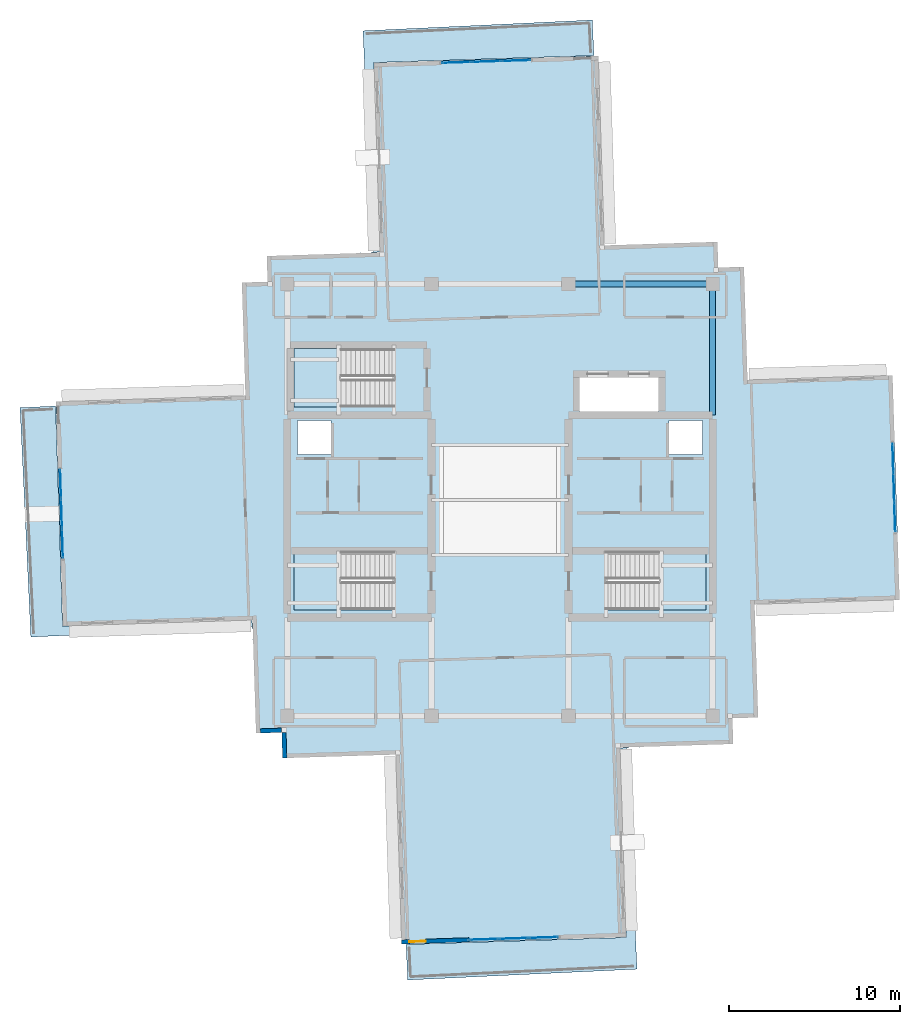
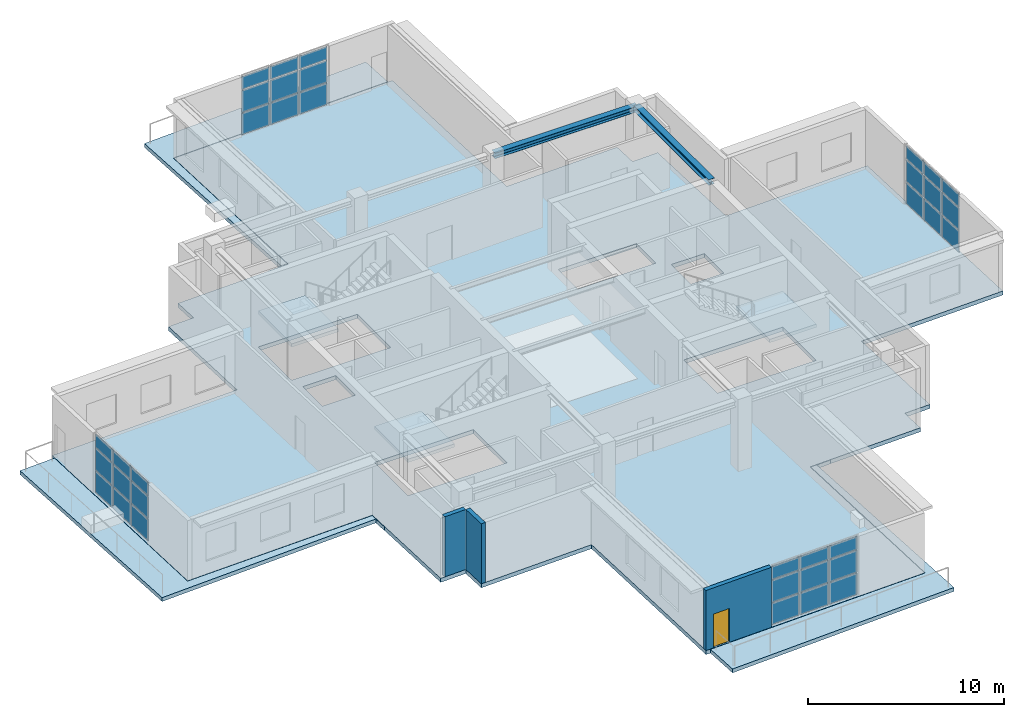
# One storey, part 9 of 18: 36 plates, 7 slabs, 3 walls, 2 beams, 1 door, 1 opening, 7 elements without a shape of their own.
"""IFC4 building model written with IfcOpenShell, lengths in metres."""

from ifc_helpers import new_model, si_unit, direction, frame, frame_2d, origin, origin_2d, place, context, subcontext, project, spatial, polyline, rectangle, i_section, outline, extrude, material, layer, layer_set, material_profile, profile_set, type_object, element, fill, aggregate, save


model = new_model("IFC4")

# Units and contexts
model_context = context("Model", 3, precision=1e-05, world=origin(), true_north=direction((0.0, 1.0)))
body_context = subcontext(model_context, "Body", "Model", "MODEL_VIEW")
ifc_project = project(units=[si_unit("LENGTHUNIT", "METRE"), si_unit("AREAUNIT", "SQUARE_METRE"), si_unit("VOLUMEUNIT", "CUBIC_METRE"), si_unit("PLANEANGLEUNIT", "RADIAN"), si_unit("MASSUNIT", "GRAM", prefix="KILO")], contexts=[model_context])

# Site, building, storey
site_placement = place(None, origin())
site = spatial("IfcSite", under=ifc_project, at=site_placement, CompositionType="ELEMENT")
building_placement = place(site_placement, origin())
building = spatial("IfcBuilding", under=site, at=building_placement, Name="Qingluan Cross Belvedere", CompositionType="ELEMENT")
storey_placement = place(building_placement, frame((0.0, 0.0, 299.39990234375)))
storey = spatial("IfcBuildingStorey", under=building, at=storey_placement, Name="L74", CompositionType="ELEMENT", Elevation=299.39990234375)

# Beams
ifc_material_1 = material(Name="Steel Q420GJB", Category="steel")
ifc_material_profile = material_profile(ifc_material_1, i_section(OverallWidth=0.35009765625, OverallDepth=0.35009765625, WebThickness=0.011962890625, FlangeThickness=0.01904296875, FilletRadius=0.02001953125, at=origin_2d()), Name="HW350x350x12x19")
ifc_profile_set = profile_set([ifc_material_profile], Name="Steel Q420GJB")
beam_type = type_object("IfcBeamType", Name="Steel_Girder_HW350x350x12x19", PredefinedType="USERDEFINED", material=ifc_profile_set)
beam_1_placement = place(storey_placement, frame((4.0, 12.60009765625, 4.0751953125), z_axis=(1.0, 0.0, 0.0), x_axis=(0.0, 1.0, 0.0)))
element("IfcBeam", 1, at=beam_1_placement, inside=storey, type_object=beam_type, Name="Hub girder L74-HG-N3", ObjectType="GIRDER", PredefinedType="USERDEFINED", context=body_context, shape_type="SweptSolid", body=[
    extrude(i_section(OverallWidth=0.35009765625, OverallDepth=0.35009765625, WebThickness=0.011962890625, FlangeThickness=0.01904296875, FilletRadius=0.02001953125, at=origin_2d()), origin(), (0.0, 0.0, 1.0), 8.39990234375),
])
beam_2_placement = place(storey_placement, frame((12.39990234375, 4.949951171875, 4.0751953125), z_axis=(0.0, 1.0, 0.0), x_axis=(-1.0, 0.0, 0.0)))
element("IfcBeam", 2, at=beam_2_placement, inside=storey, type_object=beam_type, Name="Hub girder L74-HG-E2", ObjectType="GIRDER", PredefinedType="USERDEFINED", context=body_context, shape_type="SweptSolid", body=[
    extrude(i_section(OverallWidth=0.35009765625, OverallDepth=0.35009765625, WebThickness=0.011962890625, FlangeThickness=0.01904296875, FilletRadius=0.02001953125, at=origin_2d()), origin(), (0.0, 0.0, 1.0), 7.650146484375),
])

# Curtain wall, plates
ifc_material_2 = material(Name="Thermally broken aluminium and Low-E glass", Category="aluminium")
ifc_layer_1 = layer(ifc_material_2, 0.179931640625, Name="ObservationCW_DamperGallery")
ifc_layer_set_1 = layer_set([ifc_layer_1], Name="Thermally broken aluminium and Low-E glass")
curtain_wall_type = type_object("IfcCurtainWallType", Name="ObservationCW_DamperGallery", PredefinedType="USERDEFINED", material=ifc_layer_set_1)
curtain_wall_1_placement = place(storey_placement, origin())
curtain_wall_1 = element("IfcCurtainWall", 3, at=curtain_wall_1_placement, inside=storey, type_object=curtain_wall_type, Name="ObservationCW_DamperGallery run env:cw:L74:E", ObjectType="OBSERVATION GLAZING WALL", PredefinedType="USERDEFINED")
ifc_material_3 = material(Name="Triple-silver Low-E insulated glass", Category="glass")
ifc_layer_2 = layer(ifc_material_3, 0.035888671875, Name="CWVisionPanel_36")
ifc_layer_set_2 = layer_set([ifc_layer_2], Name="Triple-silver Low-E insulated glass")
plate_type = type_object("IfcPlateType", Name="CWVisionPanel_36", PredefinedType="CURTAIN_PANEL", material=ifc_layer_set_2)
plate_1_placement = place(storey_placement, frame((23.02294921875, -1.007568359375, 0.06005859375), z_axis=(0.0, 0.0, 1.0), x_axis=(-0.031417204084, 0.999506357802, 0.0)))
plate_1 = element("IfcPlate", 4, at=plate_1_placement, type_object=plate_type, Name="CW-C1 panel 1.1", PredefinedType="CURTAIN_PANEL", context=body_context, shape_type="SweptSolid", body=[
    extrude(rectangle(XDim=1.6552734375, YDim=0.028076171875, at=origin_2d()), origin(), (0.0, 0.0, 1.0), 1.326904296875),
])
plate_2_placement = place(storey_placement, frame((23.02294921875, -1.007568359375, 1.447021484375), z_axis=(0.0, 0.0, 1.0), x_axis=(-0.031417204084, 0.999506357802, 0.0)))
plate_2 = element("IfcPlate", 5, at=plate_2_placement, type_object=plate_type, Name="CW-C1 panel 1.2", PredefinedType="CURTAIN_PANEL", context=body_context, shape_type="SweptSolid", body=[
    extrude(rectangle(XDim=1.6552734375, YDim=0.028076171875, at=origin_2d()), origin(), (0.0, 0.0, 1.0), 1.35791015625),
])
plate_3_placement = place(storey_placement, frame((23.02294921875, -1.007568359375, 2.865234375), z_axis=(0.0, 0.0, 1.0), x_axis=(-0.031417204084, 0.999506357802, 0.0)))
plate_3 = element("IfcPlate", 6, at=plate_3_placement, type_object=plate_type, Name="CW-C1 panel 1.3", PredefinedType="CURTAIN_PANEL", context=body_context, shape_type="SweptSolid", body=[
    extrude(rectangle(XDim=1.6552734375, YDim=0.028076171875, at=origin_2d()), origin(), (0.0, 0.0, 1.0), 0.804931640625),
])
plate_4_placement = place(storey_placement, frame((22.96875, 0.7216796875, 0.06005859375), z_axis=(0.0, 0.0, 1.0), x_axis=(-0.031417204084, 0.999506357802, 0.0)))
plate_4 = element("IfcPlate", 7, at=plate_4_placement, type_object=plate_type, Name="CW-C1 panel 2.1", PredefinedType="CURTAIN_PANEL", context=body_context, shape_type="SweptSolid", body=[
    extrude(rectangle(XDim=1.685302734375, YDim=0.028076171875, at=origin_2d()), origin(), (0.0, 0.0, 1.0), 1.326904296875),
])
plate_5_placement = place(storey_placement, frame((22.96875, 0.7216796875, 1.447021484375), z_axis=(0.0, 0.0, 1.0), x_axis=(-0.031417204084, 0.999506357802, 0.0)))
plate_5 = element("IfcPlate", 8, at=plate_5_placement, type_object=plate_type, Name="CW-C1 panel 2.2", PredefinedType="CURTAIN_PANEL", context=body_context, shape_type="SweptSolid", body=[
    extrude(rectangle(XDim=1.685302734375, YDim=0.028076171875, at=origin_2d()), origin(), (0.0, 0.0, 1.0), 1.35791015625),
])
plate_6_placement = place(storey_placement, frame((22.96875, 0.7216796875, 2.865234375), z_axis=(0.0, 0.0, 1.0), x_axis=(-0.031417204084, 0.999506357802, 0.0)))
plate_6 = element("IfcPlate", 9, at=plate_6_placement, type_object=plate_type, Name="CW-C1 panel 2.3", PredefinedType="CURTAIN_PANEL", context=body_context, shape_type="SweptSolid", body=[
    extrude(rectangle(XDim=1.685302734375, YDim=0.028076171875, at=origin_2d()), origin(), (0.0, 0.0, 1.0), 0.804931640625),
])
plate_7_placement = place(storey_placement, frame((22.914306640625, 2.451171875, 0.06005859375), z_axis=(0.0, 0.0, 1.0), x_axis=(-0.031417204084, 0.999506357802, 0.0)))
plate_7 = element("IfcPlate", 10, at=plate_7_placement, type_object=plate_type, Name="CW-C1 panel 3.1", PredefinedType="CURTAIN_PANEL", context=body_context, shape_type="SweptSolid", body=[
    extrude(rectangle(XDim=1.6552734375, YDim=0.028076171875, at=origin_2d()), origin(), (0.0, 0.0, 1.0), 1.326904296875),
])
plate_8_placement = place(storey_placement, frame((22.914306640625, 2.451171875, 1.447021484375), z_axis=(0.0, 0.0, 1.0), x_axis=(-0.031417204084, 0.999506357802, 0.0)))
plate_8 = element("IfcPlate", 11, at=plate_8_placement, type_object=plate_type, Name="CW-C1 panel 3.2", PredefinedType="CURTAIN_PANEL", context=body_context, shape_type="SweptSolid", body=[
    extrude(rectangle(XDim=1.6552734375, YDim=0.028076171875, at=origin_2d()), origin(), (0.0, 0.0, 1.0), 1.35791015625),
])
plate_9_placement = place(storey_placement, frame((22.914306640625, 2.451171875, 2.865234375), z_axis=(0.0, 0.0, 1.0), x_axis=(-0.031417204084, 0.999506357802, 0.0)))
plate_9 = element("IfcPlate", 12, at=plate_9_placement, type_object=plate_type, Name="CW-C1 panel 3.3", PredefinedType="CURTAIN_PANEL", context=body_context, shape_type="SweptSolid", body=[
    extrude(rectangle(XDim=1.6552734375, YDim=0.028076171875, at=origin_2d()), origin(), (0.0, 0.0, 1.0), 0.804931640625),
])
aggregate(curtain_wall_1, [plate_1, plate_2, plate_3, plate_4, plate_5, plate_6, plate_7, plate_8, plate_9])

curtain_wall_2_placement = place(storey_placement, origin())
curtain_wall_2 = element("IfcCurtainWall", 13, at=curtain_wall_2_placement, inside=storey, type_object=curtain_wall_type, Name="ObservationCW_DamperGallery run env:cw:L74:N", ObjectType="OBSERVATION GLAZING WALL", PredefinedType="USERDEFINED")
plate_10_placement = place(storey_placement, frame((0.926025390625, 25.621826171875, 0.06005859375), z_axis=(0.0, 0.0, 1.0), x_axis=(-0.999506957349, -0.031398124312, 0.0)))
plate_10 = element("IfcPlate", 14, at=plate_10_placement, type_object=plate_type, Name="CW-C1 panel 1.1", PredefinedType="CURTAIN_PANEL", context=body_context, shape_type="SweptSolid", body=[
    extrude(rectangle(XDim=1.6552734375, YDim=0.028076171875, at=origin_2d()), origin(), (0.0, 0.0, 1.0), 1.326904296875),
])
plate_11_placement = place(storey_placement, frame((0.926025390625, 25.621826171875, 1.447021484375), z_axis=(0.0, 0.0, 1.0), x_axis=(-0.999506957349, -0.031398124312, 0.0)))
plate_11 = element("IfcPlate", 15, at=plate_11_placement, type_object=plate_type, Name="CW-C1 panel 1.2", PredefinedType="CURTAIN_PANEL", context=body_context, shape_type="SweptSolid", body=[
    extrude(rectangle(XDim=1.6552734375, YDim=0.028076171875, at=origin_2d()), origin(), (0.0, 0.0, 1.0), 1.35791015625),
])
plate_12_placement = place(storey_placement, frame((0.926025390625, 25.621826171875, 2.865234375), z_axis=(0.0, 0.0, 1.0), x_axis=(-0.999506957349, -0.031398124312, 0.0)))
plate_12 = element("IfcPlate", 16, at=plate_12_placement, type_object=plate_type, Name="CW-C1 panel 1.3", PredefinedType="CURTAIN_PANEL", context=body_context, shape_type="SweptSolid", body=[
    extrude(rectangle(XDim=1.6552734375, YDim=0.028076171875, at=origin_2d()), origin(), (0.0, 0.0, 1.0), 0.804931640625),
])
plate_13_placement = place(storey_placement, frame((-0.803466796875, 25.5673828125, 0.06005859375), z_axis=(0.0, 0.0, 1.0), x_axis=(-0.999506957349, -0.031398124312, 0.0)))
plate_13 = element("IfcPlate", 17, at=plate_13_placement, type_object=plate_type, Name="CW-C1 panel 2.1", PredefinedType="CURTAIN_PANEL", context=body_context, shape_type="SweptSolid", body=[
    extrude(rectangle(XDim=1.685302734375, YDim=0.028076171875, at=origin_2d()), origin(), (0.0, 0.0, 1.0), 1.326904296875),
])
plate_14_placement = place(storey_placement, frame((-0.803466796875, 25.5673828125, 1.447021484375), z_axis=(0.0, 0.0, 1.0), x_axis=(-0.999506957349, -0.031398124312, 0.0)))
plate_14 = element("IfcPlate", 18, at=plate_14_placement, type_object=plate_type, Name="CW-C1 panel 2.2", PredefinedType="CURTAIN_PANEL", context=body_context, shape_type="SweptSolid", body=[
    extrude(rectangle(XDim=1.685302734375, YDim=0.028076171875, at=origin_2d()), origin(), (0.0, 0.0, 1.0), 1.35791015625),
])
plate_15_placement = place(storey_placement, frame((-0.803466796875, 25.5673828125, 2.865234375), z_axis=(0.0, 0.0, 1.0), x_axis=(-0.999506957349, -0.031398124312, 0.0)))
plate_15 = element("IfcPlate", 19, at=plate_15_placement, type_object=plate_type, Name="CW-C1 panel 2.3", PredefinedType="CURTAIN_PANEL", context=body_context, shape_type="SweptSolid", body=[
    extrude(rectangle(XDim=1.685302734375, YDim=0.028076171875, at=origin_2d()), origin(), (0.0, 0.0, 1.0), 0.804931640625),
])
plate_16_placement = place(storey_placement, frame((-2.532958984375, 25.51318359375, 0.06005859375), z_axis=(0.0, 0.0, 1.0), x_axis=(-0.999506957349, -0.031398124312, 0.0)))
plate_16 = element("IfcPlate", 20, at=plate_16_placement, type_object=plate_type, Name="CW-C1 panel 3.1", PredefinedType="CURTAIN_PANEL", context=body_context, shape_type="SweptSolid", body=[
    extrude(rectangle(XDim=1.6552734375, YDim=0.028076171875, at=origin_2d()), origin(), (0.0, 0.0, 1.0), 1.326904296875),
])
plate_17_placement = place(storey_placement, frame((-2.532958984375, 25.51318359375, 1.447021484375), z_axis=(0.0, 0.0, 1.0), x_axis=(-0.999506957349, -0.031398124312, 0.0)))
plate_17 = element("IfcPlate", 21, at=plate_17_placement, type_object=plate_type, Name="CW-C1 panel 3.2", PredefinedType="CURTAIN_PANEL", context=body_context, shape_type="SweptSolid", body=[
    extrude(rectangle(XDim=1.6552734375, YDim=0.028076171875, at=origin_2d()), origin(), (0.0, 0.0, 1.0), 1.35791015625),
])
plate_18_placement = place(storey_placement, frame((-2.532958984375, 25.51318359375, 2.865234375), z_axis=(0.0, 0.0, 1.0), x_axis=(-0.999506957349, -0.031398124312, 0.0)))
plate_18 = element("IfcPlate", 22, at=plate_18_placement, type_object=plate_type, Name="CW-C1 panel 3.3", PredefinedType="CURTAIN_PANEL", context=body_context, shape_type="SweptSolid", body=[
    extrude(rectangle(XDim=1.6552734375, YDim=0.028076171875, at=origin_2d()), origin(), (0.0, 0.0, 1.0), 0.804931640625),
])
aggregate(curtain_wall_2, [plate_10, plate_11, plate_12, plate_13, plate_14, plate_15, plate_16, plate_17, plate_18])

curtain_wall_3_placement = place(storey_placement, origin())
curtain_wall_3 = element("IfcCurtainWall", 23, at=curtain_wall_3_placement, inside=storey, type_object=curtain_wall_type, Name="ObservationCW_DamperGallery run env:cw:L74:W", ObjectType="OBSERVATION GLAZING WALL", PredefinedType="USERDEFINED")
plate_19_placement = place(storey_placement, frame((-25.621826171875, 0.926025390625, 0.06005859375), z_axis=(0.0, 0.0, 1.0), x_axis=(0.031398124312, -0.999506957349, 0.0)))
plate_19 = element("IfcPlate", 24, at=plate_19_placement, type_object=plate_type, Name="CW-C1 panel 1.1", PredefinedType="CURTAIN_PANEL", context=body_context, shape_type="SweptSolid", body=[
    extrude(rectangle(XDim=1.6552734375, YDim=0.028076171875, at=origin_2d()), origin(), (0.0, 0.0, 1.0), 1.326904296875),
])
plate_20_placement = place(storey_placement, frame((-25.621826171875, 0.926025390625, 1.447021484375), z_axis=(0.0, 0.0, 1.0), x_axis=(0.031398124312, -0.999506957349, 0.0)))
plate_20 = element("IfcPlate", 25, at=plate_20_placement, type_object=plate_type, Name="CW-C1 panel 1.2", PredefinedType="CURTAIN_PANEL", context=body_context, shape_type="SweptSolid", body=[
    extrude(rectangle(XDim=1.6552734375, YDim=0.028076171875, at=origin_2d()), origin(), (0.0, 0.0, 1.0), 1.35791015625),
])
plate_21_placement = place(storey_placement, frame((-25.621826171875, 0.926025390625, 2.865234375), z_axis=(0.0, 0.0, 1.0), x_axis=(0.031398124312, -0.999506957349, 0.0)))
plate_21 = element("IfcPlate", 26, at=plate_21_placement, type_object=plate_type, Name="CW-C1 panel 1.3", PredefinedType="CURTAIN_PANEL", context=body_context, shape_type="SweptSolid", body=[
    extrude(rectangle(XDim=1.6552734375, YDim=0.028076171875, at=origin_2d()), origin(), (0.0, 0.0, 1.0), 0.804931640625),
])
plate_22_placement = place(storey_placement, frame((-25.5673828125, -0.803466796875, 0.06005859375), z_axis=(0.0, 0.0, 1.0), x_axis=(0.031398124312, -0.999506957349, 0.0)))
plate_22 = element("IfcPlate", 27, at=plate_22_placement, type_object=plate_type, Name="CW-C1 panel 2.1", PredefinedType="CURTAIN_PANEL", context=body_context, shape_type="SweptSolid", body=[
    extrude(rectangle(XDim=1.685302734375, YDim=0.028076171875, at=origin_2d()), origin(), (0.0, 0.0, 1.0), 1.326904296875),
])
plate_23_placement = place(storey_placement, frame((-25.5673828125, -0.803466796875, 1.447021484375), z_axis=(0.0, 0.0, 1.0), x_axis=(0.031398124312, -0.999506957349, 0.0)))
plate_23 = element("IfcPlate", 28, at=plate_23_placement, type_object=plate_type, Name="CW-C1 panel 2.2", PredefinedType="CURTAIN_PANEL", context=body_context, shape_type="SweptSolid", body=[
    extrude(rectangle(XDim=1.685302734375, YDim=0.028076171875, at=origin_2d()), origin(), (0.0, 0.0, 1.0), 1.35791015625),
])
plate_24_placement = place(storey_placement, frame((-25.5673828125, -0.803466796875, 2.865234375), z_axis=(0.0, 0.0, 1.0), x_axis=(0.031398124312, -0.999506957349, 0.0)))
plate_24 = element("IfcPlate", 29, at=plate_24_placement, type_object=plate_type, Name="CW-C1 panel 2.3", PredefinedType="CURTAIN_PANEL", context=body_context, shape_type="SweptSolid", body=[
    extrude(rectangle(XDim=1.685302734375, YDim=0.028076171875, at=origin_2d()), origin(), (0.0, 0.0, 1.0), 0.804931640625),
])
plate_25_placement = place(storey_placement, frame((-25.51318359375, -2.532958984375, 0.06005859375), z_axis=(0.0, 0.0, 1.0), x_axis=(0.031398124312, -0.999506957349, 0.0)))
plate_25 = element("IfcPlate", 30, at=plate_25_placement, type_object=plate_type, Name="CW-C1 panel 3.1", PredefinedType="CURTAIN_PANEL", context=body_context, shape_type="SweptSolid", body=[
    extrude(rectangle(XDim=1.6552734375, YDim=0.028076171875, at=origin_2d()), origin(), (0.0, 0.0, 1.0), 1.326904296875),
])
plate_26_placement = place(storey_placement, frame((-25.51318359375, -2.532958984375, 1.447021484375), z_axis=(0.0, 0.0, 1.0), x_axis=(0.031398124312, -0.999506957349, 0.0)))
plate_26 = element("IfcPlate", 31, at=plate_26_placement, type_object=plate_type, Name="CW-C1 panel 3.2", PredefinedType="CURTAIN_PANEL", context=body_context, shape_type="SweptSolid", body=[
    extrude(rectangle(XDim=1.6552734375, YDim=0.028076171875, at=origin_2d()), origin(), (0.0, 0.0, 1.0), 1.35791015625),
])
plate_27_placement = place(storey_placement, frame((-25.51318359375, -2.532958984375, 2.865234375), z_axis=(0.0, 0.0, 1.0), x_axis=(0.031398124312, -0.999506957349, 0.0)))
plate_27 = element("IfcPlate", 32, at=plate_27_placement, type_object=plate_type, Name="CW-C1 panel 3.3", PredefinedType="CURTAIN_PANEL", context=body_context, shape_type="SweptSolid", body=[
    extrude(rectangle(XDim=1.6552734375, YDim=0.028076171875, at=origin_2d()), origin(), (0.0, 0.0, 1.0), 0.804931640625),
])
aggregate(curtain_wall_3, [plate_19, plate_20, plate_21, plate_22, plate_23, plate_24, plate_25, plate_26, plate_27])

curtain_wall_4_placement = place(storey_placement, origin())
curtain_wall_4 = element("IfcCurtainWall", 33, at=curtain_wall_4_placement, inside=storey, type_object=curtain_wall_type, Name="ObservationCW_DamperGallery run env:cw:L74:S", ObjectType="OBSERVATION GLAZING WALL", PredefinedType="USERDEFINED")
plate_28_placement = place(storey_placement, frame((-0.926025390625, -25.621826171875, 0.06005859375), z_axis=(0.0, 0.0, 1.0), x_axis=(0.999506957349, 0.031398124312, 0.0)))
plate_28 = element("IfcPlate", 34, at=plate_28_placement, type_object=plate_type, Name="CW-C1 panel 1.1", PredefinedType="CURTAIN_PANEL", context=body_context, shape_type="SweptSolid", body=[
    extrude(rectangle(XDim=1.6552734375, YDim=0.028076171875, at=origin_2d()), origin(), (0.0, 0.0, 1.0), 1.326904296875),
])
plate_29_placement = place(storey_placement, frame((-0.926025390625, -25.621826171875, 1.447021484375), z_axis=(0.0, 0.0, 1.0), x_axis=(0.999506957349, 0.031398124312, 0.0)))
plate_29 = element("IfcPlate", 35, at=plate_29_placement, type_object=plate_type, Name="CW-C1 panel 1.2", PredefinedType="CURTAIN_PANEL", context=body_context, shape_type="SweptSolid", body=[
    extrude(rectangle(XDim=1.6552734375, YDim=0.028076171875, at=origin_2d()), origin(), (0.0, 0.0, 1.0), 1.35791015625),
])
plate_30_placement = place(storey_placement, frame((-0.926025390625, -25.621826171875, 2.865234375), z_axis=(0.0, 0.0, 1.0), x_axis=(0.999506957349, 0.031398124312, 0.0)))
plate_30 = element("IfcPlate", 36, at=plate_30_placement, type_object=plate_type, Name="CW-C1 panel 1.3", PredefinedType="CURTAIN_PANEL", context=body_context, shape_type="SweptSolid", body=[
    extrude(rectangle(XDim=1.6552734375, YDim=0.028076171875, at=origin_2d()), origin(), (0.0, 0.0, 1.0), 0.804931640625),
])
plate_31_placement = place(storey_placement, frame((0.803466796875, -25.5673828125, 0.06005859375), z_axis=(0.0, 0.0, 1.0), x_axis=(0.999506957349, 0.031398124312, 0.0)))
plate_31 = element("IfcPlate", 37, at=plate_31_placement, type_object=plate_type, Name="CW-C1 panel 2.1", PredefinedType="CURTAIN_PANEL", context=body_context, shape_type="SweptSolid", body=[
    extrude(rectangle(XDim=1.685302734375, YDim=0.028076171875, at=origin_2d()), origin(), (0.0, 0.0, 1.0), 1.326904296875),
])
plate_32_placement = place(storey_placement, frame((0.803466796875, -25.5673828125, 1.447021484375), z_axis=(0.0, 0.0, 1.0), x_axis=(0.999506957349, 0.031398124312, 0.0)))
plate_32 = element("IfcPlate", 38, at=plate_32_placement, type_object=plate_type, Name="CW-C1 panel 2.2", PredefinedType="CURTAIN_PANEL", context=body_context, shape_type="SweptSolid", body=[
    extrude(rectangle(XDim=1.685302734375, YDim=0.028076171875, at=origin_2d()), origin(), (0.0, 0.0, 1.0), 1.35791015625),
])
plate_33_placement = place(storey_placement, frame((0.803466796875, -25.5673828125, 2.865234375), z_axis=(0.0, 0.0, 1.0), x_axis=(0.999506957349, 0.031398124312, 0.0)))
plate_33 = element("IfcPlate", 39, at=plate_33_placement, type_object=plate_type, Name="CW-C1 panel 2.3", PredefinedType="CURTAIN_PANEL", context=body_context, shape_type="SweptSolid", body=[
    extrude(rectangle(XDim=1.685302734375, YDim=0.028076171875, at=origin_2d()), origin(), (0.0, 0.0, 1.0), 0.804931640625),
])
plate_34_placement = place(storey_placement, frame((2.532958984375, -25.51318359375, 0.06005859375), z_axis=(0.0, 0.0, 1.0), x_axis=(0.999506957349, 0.031398124312, 0.0)))
plate_34 = element("IfcPlate", 40, at=plate_34_placement, type_object=plate_type, Name="CW-C1 panel 3.1", PredefinedType="CURTAIN_PANEL", context=body_context, shape_type="SweptSolid", body=[
    extrude(rectangle(XDim=1.6552734375, YDim=0.028076171875, at=origin_2d()), origin(), (0.0, 0.0, 1.0), 1.326904296875),
])
plate_35_placement = place(storey_placement, frame((2.532958984375, -25.51318359375, 1.447021484375), z_axis=(0.0, 0.0, 1.0), x_axis=(0.999506957349, 0.031398124312, 0.0)))
plate_35 = element("IfcPlate", 41, at=plate_35_placement, type_object=plate_type, Name="CW-C1 panel 3.2", PredefinedType="CURTAIN_PANEL", context=body_context, shape_type="SweptSolid", body=[
    extrude(rectangle(XDim=1.6552734375, YDim=0.028076171875, at=origin_2d()), origin(), (0.0, 0.0, 1.0), 1.35791015625),
])
plate_36_placement = place(storey_placement, frame((2.532958984375, -25.51318359375, 2.865234375), z_axis=(0.0, 0.0, 1.0), x_axis=(0.999506957349, 0.031398124312, 0.0)))
plate_36 = element("IfcPlate", 42, at=plate_36_placement, type_object=plate_type, Name="CW-C1 panel 3.3", PredefinedType="CURTAIN_PANEL", context=body_context, shape_type="SweptSolid", body=[
    extrude(rectangle(XDim=1.6552734375, YDim=0.028076171875, at=origin_2d()), origin(), (0.0, 0.0, 1.0), 0.804931640625),
])
aggregate(curtain_wall_4, [plate_28, plate_29, plate_30, plate_31, plate_32, plate_33, plate_34, plate_35, plate_36])

# Slabs
ifc_material_4 = material(Name="Concrete C40", Category="concrete")
ifc_layer_3 = layer(ifc_material_4, 0.239990234375, Name="CrownRoofSlab_240")
ifc_layer_set_3 = layer_set([ifc_layer_3], Name="Concrete C40")
slab_type_1 = type_object("IfcSlabType", Name="CrownRoofSlab_240", PredefinedType="ROOF", material=ifc_layer_set_3)
slab_1_placement = place(storey_placement, frame((0.0, 0.0, -0.239990234375)))
element("IfcSlab", 43, at=slab_1_placement, inside=storey, type_object=slab_type_1, Name="Stepped crown terrace L74-1", PredefinedType="ROOF", context=body_context, shape_type="SweptSolid", body=[
    extrude(outline(polyline([(-7.384033203125, 14.453125), (-8.211669921875, 14.414306640625), (-7.0224609375, 14.45166015625), (-7.3623046875, 25.501708984375), (5.480712890625, 25.909912109375), (5.382568359375, 27.989501953125), (-7.99267578125, 27.35888671875), (-7.384033203125, 14.453125)])), origin(), (0.0, 0.0, 1.0), 0.239990234375),
])
slab_2_placement = place(storey_placement, frame((0.0, 0.0, -0.239990234375)))
element("IfcSlab", 44, at=slab_2_placement, inside=storey, type_object=slab_type_1, Name="Stepped crown terrace L74-2", PredefinedType="ROOF", context=body_context, shape_type="SweptSolid", body=[
    extrude(outline(polyline([(-14.453125, -7.384033203125), (-14.414306640625, -8.211669921875), (-14.45166015625, -7.0224609375), (-25.501708984375, -7.3623046875), (-25.909912109375, 5.480712890625), (-27.989501953125, 5.382568359375), (-27.35888671875, -7.99267578125), (-14.453125, -7.384033203125)])), origin(), (0.0, 0.0, 1.0), 0.239990234375),
])
slab_3_placement = place(storey_placement, frame((0.0, 0.0, -0.239990234375)))
element("IfcSlab", 45, at=slab_3_placement, inside=storey, type_object=slab_type_1, Name="Stepped crown terrace L74-3", PredefinedType="ROOF", context=body_context, shape_type="SweptSolid", body=[
    extrude(outline(polyline([(-5.480712890625, -25.909912109375), (-5.382568359375, -27.989501953125), (7.99267578125, -27.35888671875), (7.384033203125, -14.453125), (8.211669921875, -14.414306640625), (7.0224609375, -14.45166015625), (7.369140625, -25.486083984375), (7.349853515625, -25.506591796875), (-5.480712890625, -25.909912109375)])), origin(), (0.0, 0.0, 1.0), 0.239990234375),
])
ifc_material_5 = material(Name="Concrete C40", Category="concrete")
ifc_layer_4 = layer(ifc_material_5, 0.25, Name="FloorSlab_250")
ifc_layer_set_4 = layer_set([ifc_layer_4], Name="Concrete C40")
slab_type_2 = type_object("IfcSlabType", Name="FloorSlab_250", PredefinedType="FLOOR", material=ifc_layer_set_4)
slab_4_placement = place(storey_placement, frame((0.0, 0.0, -0.25)))
element("IfcSlab", 46, at=slab_4_placement, inside=storey, type_object=slab_type_2, Name="Structural floor slab L74", PredefinedType="FLOOR", context=body_context, shape_type="SweptSolid", body=[
    extrude(outline(polyline([(7.34912109375, -25.48681640625), (7.001708984375, -14.43212890625), (13.598388671875, -14.224853515625), (13.551513671875, -12.7255859375), (15.05078125, -12.678466796875), (14.843505859375, -6.081787109375), (23.29931640625, -5.81591796875), (22.887939453125, 7.267578125), (14.43212890625, 7.001708984375), (14.224853515625, 13.598388671875), (12.7255859375, 13.551513671875), (12.678466796875, 15.05078125), (6.081787109375, 14.843505859375), (5.734375, 25.89794921875), (-7.34912109375, 25.48681640625), (-7.001708984375, 14.43212890625), (-13.598388671875, 14.224853515625), (-13.551513671875, 12.7255859375), (-15.05078125, 12.678466796875), (-14.843505859375, 6.081787109375), (-25.89794921875, 5.734375), (-25.48681640625, -7.34912109375), (-14.43212890625, -7.001708984375), (-14.224853515625, -13.598388671875), (-12.7255859375, -13.551513671875), (-12.678466796875, -15.05078125), (-6.081787109375, -14.843505859375), (-5.734375, -25.89794921875), (7.34912109375, -25.48681640625)]), holes=[polyline([(-12.0, -3.0), (-6.179931640625, -3.0), (-6.179931640625, -6.39990234375), (-12.0, -6.39990234375), (-12.0, -3.0)]), polyline([(6.179931640625, -3.0), (12.0, -3.0), (12.0, -6.39990234375), (6.179931640625, -6.39990234375), (6.179931640625, -3.0)]), polyline([(-12.0, 8.820068359375), (-6.179931640625, 8.820068359375), (-6.179931640625, 5.419921875), (-12.0, 5.419921875), (-12.0, 8.820068359375)]), polyline([(-11.800048828125, 4.64990234375), (-9.85009765625, 4.64990234375), (-9.85009765625, 2.64990234375), (-11.800048828125, 2.64990234375), (-11.800048828125, 4.64990234375)]), polyline([(9.85009765625, 4.64990234375), (11.800048828125, 4.64990234375), (11.800048828125, 2.64990234375), (9.85009765625, 2.64990234375), (9.85009765625, 4.64990234375)]), polyline([(4.64990234375, 7.14990234375), (9.25, 7.14990234375), (9.25, 5.14990234375), (4.64990234375, 5.14990234375), (4.64990234375, 7.14990234375)])]), origin(), (0.0, 0.0, 1.0), 0.25),
])

# Stair, slab
ifc_material_6 = material(Name="Concrete C40", Category="concrete")
stair_type = type_object("IfcStairType", Name="CoreDoglegStair_1620", PredefinedType="HALF_TURN_STAIR", material=ifc_material_6)
stair_1_placement = place(storey_placement, origin())
stair_1 = element("IfcStair", 47, at=stair_1_placement, inside=storey, type_object=stair_type, Name="L74 ST1", PredefinedType="HALF_TURN_STAIR")
ifc_material_7 = material(Name="Concrete C40", Category="concrete")
ifc_layer_5 = layer(ifc_material_7, 0.179931640625, Name="StairLandingSlab_180")
ifc_layer_set_5 = layer_set([ifc_layer_5], Name="Concrete C40")
slab_type_3 = type_object("IfcSlabType", Name="StairLandingSlab_180", PredefinedType="LANDING", material=ifc_layer_set_5)
slab_5_placement = place(storey_placement, frame((0.0, 0.0, 2.050048828125)))
slab_5 = element("IfcSlab", 48, at=slab_5_placement, type_object=slab_type_3, Name="ST1 landing 1", PredefinedType="LANDING", context=body_context, shape_type="SweptSolid", body=[
    extrude(outline(polyline([(-9.260009765625, -3.0), (-12.0, -3.0), (-12.0, -6.39990234375), (-9.260009765625, -6.39990234375), (-9.260009765625, -3.0)])), origin(), (0.0, 0.0, 1.0), 0.199951171875),
])
aggregate(stair_1, [slab_5])

stair_2_placement = place(storey_placement, origin())
stair_2 = element("IfcStair", 49, at=stair_2_placement, inside=storey, type_object=stair_type, Name="L74 ST2", PredefinedType="HALF_TURN_STAIR")
slab_6_placement = place(storey_placement, frame((0.0, 0.0, 2.050048828125)))
slab_6 = element("IfcSlab", 50, at=slab_6_placement, type_object=slab_type_3, Name="ST2 landing 1", PredefinedType="LANDING", context=body_context, shape_type="SweptSolid", body=[
    extrude(outline(polyline([(9.260009765625, -6.39990234375), (12.0, -6.39990234375), (12.0, -3.0), (9.260009765625, -3.0), (9.260009765625, -6.39990234375)])), origin(), (0.0, 0.0, 1.0), 0.199951171875),
])
aggregate(stair_2, [slab_6])

stair_3_placement = place(storey_placement, origin())
stair_3 = element("IfcStair", 51, at=stair_3_placement, inside=storey, type_object=stair_type, Name="L74 ST3", PredefinedType="HALF_TURN_STAIR")
slab_7_placement = place(storey_placement, frame((0.0, 0.0, 2.050048828125)))
slab_7 = element("IfcSlab", 52, at=slab_7_placement, type_object=slab_type_3, Name="ST3 landing 1", PredefinedType="LANDING", context=body_context, shape_type="SweptSolid", body=[
    extrude(outline(polyline([(-9.260009765625, 8.820068359375), (-12.0, 8.820068359375), (-12.0, 5.419921875), (-9.260009765625, 5.419921875), (-9.260009765625, 8.820068359375)])), origin(), (0.0, 0.0, 1.0), 0.199951171875),
])
aggregate(stair_3, [slab_7])

# Wall, opening, door
ifc_material_8 = material(Name="Precast concrete C45", Category="concrete")
ifc_layer_6 = layer(ifc_material_8, 0.25, Name="PrecastCrownWall_250")
ifc_layer_set_6 = layer_set([ifc_layer_6], Name="Precast concrete C45")
wall_type = type_object("IfcWallType", Name="PrecastCrownWall_250", PredefinedType="STANDARD", material=ifc_layer_set_6)
wall_1_placement = place(storey_placement, frame((-5.73828125, -25.77294921875, 0.0), z_axis=(0.0, 0.0, 1.0), x_axis=(0.999507028851, 0.031395848079, 0.0)))
wall_1 = element("IfcWall", 53, at=wall_1_placement, inside=storey, type_object=wall_type, Name="Terrace portal jamb wall L74-S1", PredefinedType="STANDARD", context=body_context, shape_type="SweptSolid", body=[
    extrude(rectangle(XDim=3.927001953125, YDim=0.25, at=frame_2d((1.96337890625, 0.0))), origin(), (0.0, 0.0, 1.0), 3.72998046875),
])
opening_placement = place(wall_1_placement, frame((0.449951171875, 0.0, 0.0)))
opening = element("IfcOpeningElement", 54, at=opening_placement, cuts=wall_1, Name="Opening TD-10", PredefinedType="OPENING", context=body_context, shape_type="SweptSolid", body=[
    extrude(rectangle(XDim=0.9599609375, YDim=2.10009765625, at=frame_2d((0.47998046875, 1.050048828125))), frame((0.0, 0.135009765625, 0.0), z_axis=(0.0, -1.0, 0.0), x_axis=(1.0, 0.0, 0.0)), (0.0, 0.0, 1.0), 0.27001953125),
])
ifc_material_9 = material(Name="Thermally broken aluminium and Low-E glass", Category="aluminium")
door_type = type_object("IfcDoorType", Name="SetbackTerraceDoor_096", OperationType="NOTDEFINED", PredefinedType="DOOR", material=ifc_material_9)
door_placement = place(opening_placement, origin())
door = element("IfcDoor", 55, at=door_placement, inside=storey, type_object=door_type, Name="Outdoor terrace access door L74-set3", OperationType="SINGLE_SWING_RIGHT", OverallHeight=2.10009765625, OverallWidth=0.9599609375, PredefinedType="DOOR", context=body_context, shape_type="SweptSolid", body=[
    extrude(rectangle(XDim=0.9599609375, YDim=2.10009765625, at=frame_2d((0.47998046875, 1.050048828125))), frame((0.0, 0.02490234375, 0.0), z_axis=(0.0, -1.0, 0.0), x_axis=(1.0, 0.0, 0.0)), (0.0, 0.0, 1.0), 0.050048828125),
])
fill(opening, door)

# Walls
wall_2_placement = place(storey_placement, frame((-13.97900390625, -13.4658203125, 0.0), z_axis=(0.0, 0.0, 1.0), x_axis=(0.999505576605, 0.031442047252, 0.0)))
element("IfcWall", 56, at=wall_2_placement, inside=storey, type_object=wall_type, Name="Corner wall L74-SW2", PredefinedType="STANDARD", context=body_context, shape_type="SweptSolid", body=[
    extrude(rectangle(XDim=1.250244140625, YDim=0.25, at=frame_2d((0.625, 0.0))), origin(), (0.0, 0.0, 1.0), 3.72998046875),
])
wall_3_placement = place(storey_placement, frame((-12.6005859375, -13.547607421875, 0.0), z_axis=(0.0, 0.0, 1.0), x_axis=(0.031255080879, -0.999511440614, 0.0)))
element("IfcWall", 57, at=wall_3_placement, inside=storey, type_object=wall_type, Name="Corner wall L74-SW3", PredefinedType="STANDARD", context=body_context, shape_type="SweptSolid", body=[
    extrude(rectangle(XDim=1.499755859375, YDim=0.25, at=frame_2d((0.75, 0.0))), origin(), (0.0, 0.0, 1.0), 3.72998046875),
])

save(model, "model.ifc")
